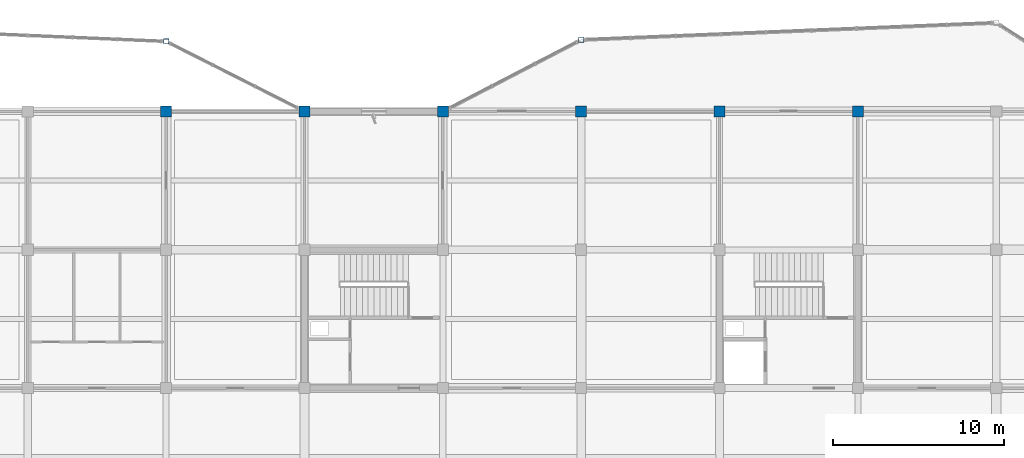
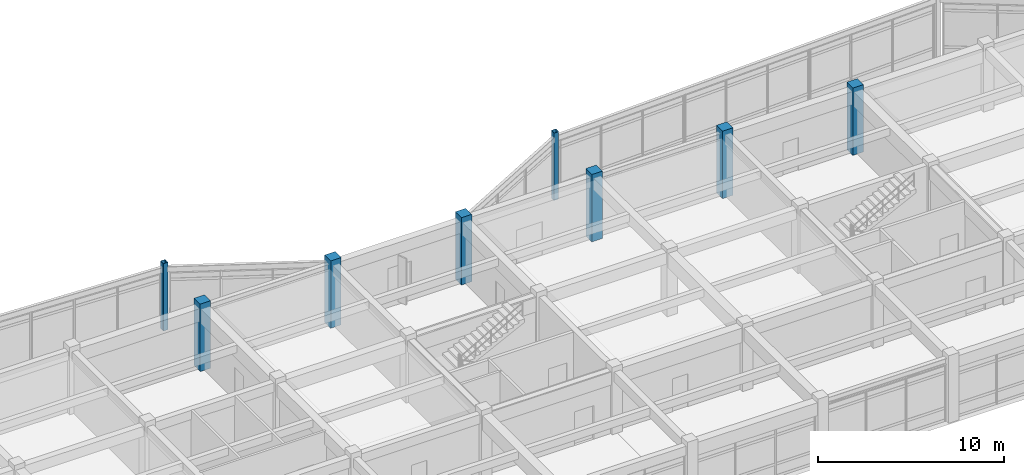
# One storey, part 18 of 89: 8 columns.
"""IFC4 building model written with IfcOpenShell, lengths in metres."""

from ifc_helpers import new_model, si_unit, direction, frame, origin, origin_2d, place, context, subcontext, project, spatial, rectangle, hollow_rectangle, extrude, material, material_profile, profile_set, type_object, element, save


model = new_model("IFC4")

# Units and contexts
model_context = context("Model", 3, precision=1e-05, world=origin(), true_north=direction((0.0, 1.0)))
body_context = subcontext(model_context, "Body", "Model", "MODEL_VIEW")
ifc_project = project(units=[si_unit("LENGTHUNIT", "METRE"), si_unit("AREAUNIT", "SQUARE_METRE"), si_unit("VOLUMEUNIT", "CUBIC_METRE"), si_unit("PLANEANGLEUNIT", "RADIAN"), si_unit("MASSUNIT", "GRAM", prefix="KILO")], contexts=[model_context])

# Site, building, storey
site_placement = place(None, origin())
site = spatial("IfcSite", under=ifc_project, at=site_placement, CompositionType="ELEMENT")
building_placement = place(site_placement, origin())
building = spatial("IfcBuilding", under=site, at=building_placement, Name="Vaudrelin Polytechnic", CompositionType="ELEMENT")
storey_placement = place(building_placement, frame((0.0, 0.0, 9.68994140625)))
storey = spatial("IfcBuildingStorey", under=building, at=storey_placement, Name="L02", CompositionType="ELEMENT", Elevation=9.68994140625)

# Columns
ifc_material_1 = material(Name="Steel CSA G40.21 350WT", Category="steel")
ifc_material_profile_1 = material_profile(ifc_material_1, hollow_rectangle(XDim=0.304931640625, YDim=0.304931640625, WallThickness=0.0126953125, InnerFilletRadius=0.0126953125, OuterFilletRadius=0.025390625, at=origin_2d()), Name="HSS305x305x12.7")
ifc_profile_set_1 = profile_set([ifc_material_profile_1], Name="Steel CSA G40.21 350WT")
column_type_1 = type_object("IfcColumnType", Name="COL-C-HSS305", PredefinedType="COLUMN", material=ifc_profile_set_1)
for number, where, z_axis, x_axis, name in (
    (1, (48.60009765625, 125.60009765625, 0.0), (0.0, 0.0, 1.0), (1.0, 0.0, 0.0), "Deconstructivist column L02 N_OR1_2"),
    (2, (72.89990234375, 125.699951171875, 0.0), (0.0, 0.0, 1.0), (1.0, 0.0, 0.0), "Deconstructivist column L02 N_OR2_1"),
):
    element("IfcColumn", number, at=place(storey_placement, frame(where, z_axis=z_axis, x_axis=x_axis)), inside=storey, type_object=column_type_1, Name=name, PredefinedType="COLUMN", context=body_context, shape_type="SweptSolid", body=[
        extrude(hollow_rectangle(XDim=0.304931640625, YDim=0.304931640625, WallThickness=0.0126953125, InnerFilletRadius=0.0126953125, OuterFilletRadius=0.025390625, at=origin_2d()), origin(), (0.0, 0.0, 1.0), 4.420166015625),
    ])
ifc_material_2 = material(Name="Concrete 40 MPa", Category="concrete")
ifc_material_profile_2 = material_profile(ifc_material_2, rectangle(XDim=0.64990234375, YDim=0.64990234375, at=origin_2d()), Name="RC650x650")
ifc_profile_set_2 = profile_set([ifc_material_profile_2], Name="Concrete 40 MPa")
column_type_2 = type_object("IfcColumnType", Name="COL-C-RC650", PredefinedType="COLUMN", material=ifc_profile_set_2)
for number, where, z_axis, x_axis, name in (
    (3, (48.60009765625, 121.5, 0.0), (0.0, 0.0, 1.0), (1.0, 0.0, 0.0), "Column L02 7-16"),
    (4, (56.699951171875, 121.5, 0.0), (0.0, 0.0, 1.0), (1.0, 0.0, 0.0), "Column L02 8-16"),
    (5, (64.800048828125, 121.5, 0.0), (0.0, 0.0, 1.0), (1.0, 0.0, 0.0), "Column L02 9-16"),
    (6, (72.89990234375, 121.5, 0.0), (0.0, 0.0, 1.0), (1.0, 0.0, 0.0), "Column L02 10-16"),
    (7, (81.0, 121.5, 0.0), (0.0, 0.0, 1.0), (1.0, 0.0, 0.0), "Column L02 11-16"),
    (8, (89.10009765625, 121.5, 0.0), (0.0, 0.0, 1.0), (1.0, 0.0, 0.0), "Column L02 12-16"),
):
    element("IfcColumn", number, at=place(storey_placement, frame(where, z_axis=z_axis, x_axis=x_axis)), inside=storey, type_object=column_type_2, Name=name, PredefinedType="COLUMN", context=body_context, shape_type="SweptSolid", body=[
        extrude(rectangle(XDim=0.64990234375, YDim=0.64990234375, at=origin_2d()), origin(), (0.0, 0.0, 1.0), 4.420166015625),
    ])

save(model, "model.ifc")
